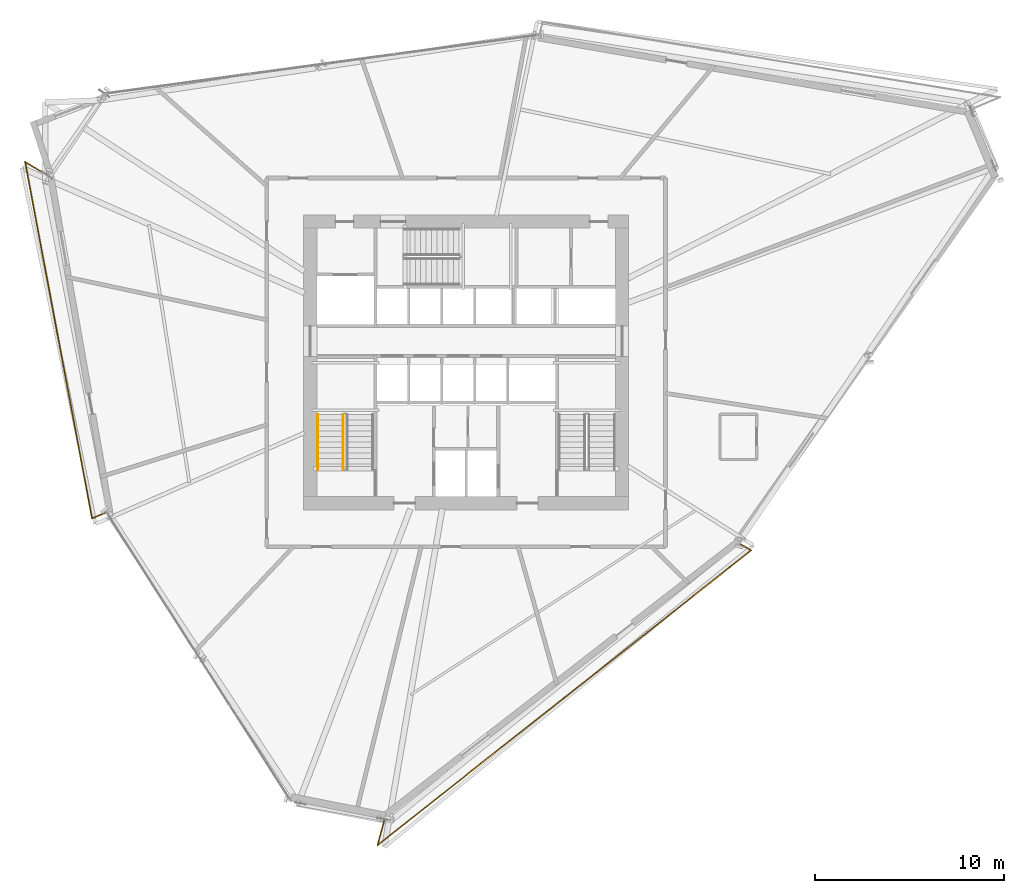
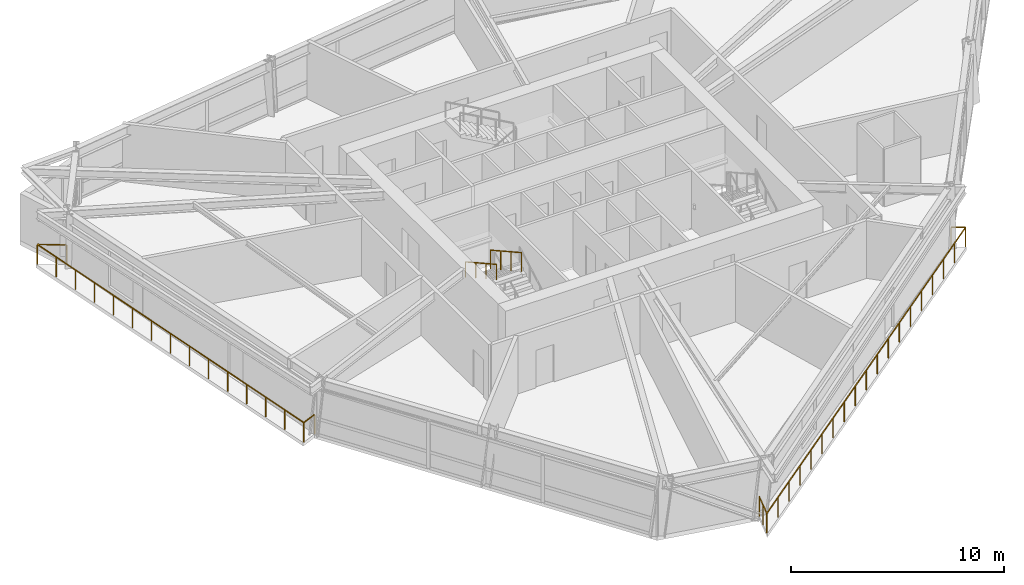
# One storey, part 14 of 16: 4 railings.
"""IFC4 building model written with IfcOpenShell, lengths in metres."""

from ifc_helpers import new_model, si_unit, direction, frame, origin, origin_2d, place, context, subcontext, project, spatial, rectangle, extrude, material, type_object, element, save


model = new_model("IFC4")

# Units and contexts
model_context = context("Model", 3, precision=1e-05, world=origin(), true_north=direction((0.0, 1.0)))
body_context = subcontext(model_context, "Body", "Model", "MODEL_VIEW")
ifc_project = project(units=[si_unit("LENGTHUNIT", "METRE"), si_unit("AREAUNIT", "SQUARE_METRE"), si_unit("VOLUMEUNIT", "CUBIC_METRE"), si_unit("PLANEANGLEUNIT", "RADIAN"), si_unit("MASSUNIT", "GRAM", prefix="KILO")], contexts=[model_context])

# Site, building, storey
site_placement = place(None, origin())
site = spatial("IfcSite", under=ifc_project, at=site_placement, CompositionType="ELEMENT")
building_placement = place(site_placement, origin())
building = spatial("IfcBuilding", under=site, at=building_placement, Name="Olszyna Solenne Hotel", CompositionType="ELEMENT")
storey_placement = place(building_placement, frame((0.0, 0.0, 127.0)))
storey = spatial("IfcBuildingStorey", under=building, at=storey_placement, Name="L33", CompositionType="ELEMENT", Elevation=127.0)

# Railings
ifc_material_1 = material(Name="Anodised bronze aluminium", Category="aluminium")
railing_type_1 = type_object("IfcRailingType", Name="GR-110", PredefinedType="BALUSTRADE", material=ifc_material_1)
railing_1_placement = place(storey_placement, frame((15.856689453125, 36.501953125, 0.0)))
element("IfcRailing", 1, at=railing_1_placement, inside=storey, type_object=railing_type_1, Name="Loggia balcony balustrade guard GR-L33-LG2", PredefinedType="BALUSTRADE", context=body_context, shape_type="SweptSolid", body=[
    extrude(rectangle(XDim=0.048095703125, YDim=0.048095703125, at=origin_2d()), frame((0.0, 0.0, 1.1259765625), z_axis=(-0.857727145789, 0.514105187074, 0.0), x_axis=(-0.514105187074, -0.857727145789, 0.0)), (0.0, 0.0, 1.0), 1.379150390625),
    extrude(rectangle(XDim=0.048095703125, YDim=0.048095703125, at=origin_2d()), frame((-1.182861328125, 0.708984375, 1.1259765625), z_axis=(0.1844129399, -0.982848852875, 0.0), x_axis=(0.982848852875, 0.1844129399, 0.0)), (0.0, 0.0, 1.0), 19.19482421875),
    extrude(rectangle(XDim=0.048095703125, YDim=0.048095703125, at=origin_2d()), frame((2.35693359375, -18.15673828125, 1.1259765625), z_axis=(0.920971234418, 0.389630575514, 0.0), x_axis=(-0.389630575514, 0.920971234418, 0.0)), (0.0, 0.0, 1.0), 0.845947265625),
    extrude(rectangle(XDim=0.0419921875, YDim=0.0419921875, at=origin_2d()), origin(), (0.0, 0.0, 1.0), 1.101806640625),
    extrude(rectangle(XDim=0.0419921875, YDim=0.0419921875, at=origin_2d()), frame((-1.182861328125, 0.708984375, 0.0)), (0.0, 0.0, 1.0), 1.101806640625),
    extrude(rectangle(XDim=0.0419921875, YDim=0.0419921875, at=origin_2d()), frame((-0.929931640625, -0.638671875, 0.0)), (0.0, 0.0, 1.0), 1.101806640625),
    extrude(rectangle(XDim=0.0419921875, YDim=0.0419921875, at=origin_2d()), frame((-0.67724609375, -1.986083984375, 0.0)), (0.0, 0.0, 1.0), 1.101806640625),
    extrude(rectangle(XDim=0.0419921875, YDim=0.0419921875, at=origin_2d()), frame((-0.42431640625, -3.333740234375, 0.0)), (0.0, 0.0, 1.0), 1.101806640625),
    extrude(rectangle(XDim=0.0419921875, YDim=0.0419921875, at=origin_2d()), frame((-0.17138671875, -4.68115234375, 0.0)), (0.0, 0.0, 1.0), 1.101806640625),
    extrude(rectangle(XDim=0.0419921875, YDim=0.0419921875, at=origin_2d()), frame((0.081298828125, -6.02880859375, 0.0)), (0.0, 0.0, 1.0), 1.101806640625),
    extrude(rectangle(XDim=0.0419921875, YDim=0.0419921875, at=origin_2d()), frame((0.334228515625, -7.376220703125, 0.0)), (0.0, 0.0, 1.0), 1.101806640625),
    extrude(rectangle(XDim=0.0419921875, YDim=0.0419921875, at=origin_2d()), frame((0.5869140625, -8.723876953125, 0.0)), (0.0, 0.0, 1.0), 1.101806640625),
    extrude(rectangle(XDim=0.0419921875, YDim=0.0419921875, at=origin_2d()), frame((0.83984375, -10.071533203125, 0.0)), (0.0, 0.0, 1.0), 1.101806640625),
    extrude(rectangle(XDim=0.0419921875, YDim=0.0419921875, at=origin_2d()), frame((1.0927734375, -11.4189453125, 0.0)), (0.0, 0.0, 1.0), 1.101806640625),
    extrude(rectangle(XDim=0.0419921875, YDim=0.0419921875, at=origin_2d()), frame((1.345458984375, -12.7666015625, 0.0)), (0.0, 0.0, 1.0), 1.101806640625),
    extrude(rectangle(XDim=0.0419921875, YDim=0.0419921875, at=origin_2d()), frame((1.598388671875, -14.114013671875, 0.0)), (0.0, 0.0, 1.0), 1.101806640625),
    extrude(rectangle(XDim=0.0419921875, YDim=0.0419921875, at=origin_2d()), frame((1.851318359375, -15.461669921875, 0.0)), (0.0, 0.0, 1.0), 1.101806640625),
    extrude(rectangle(XDim=0.0419921875, YDim=0.0419921875, at=origin_2d()), frame((2.10400390625, -16.80908203125, 0.0)), (0.0, 0.0, 1.0), 1.101806640625),
    extrude(rectangle(XDim=0.0419921875, YDim=0.0419921875, at=origin_2d()), frame((2.35693359375, -18.15673828125, 0.0)), (0.0, 0.0, 1.0), 1.101806640625),
    extrude(rectangle(XDim=0.0419921875, YDim=0.0419921875, at=origin_2d()), frame((3.135986328125, -17.8271484375, 0.0)), (0.0, 0.0, 1.0), 1.101806640625),
])
railing_2_placement = place(storey_placement, frame((33.687255859375, 2.430419921875, 0.0)))
element("IfcRailing", 2, at=railing_2_placement, inside=storey, type_object=railing_type_1, Name="Loggia balcony balustrade guard GR-L33-LG3", PredefinedType="BALUSTRADE", context=body_context, shape_type="SweptSolid", body=[
    extrude(rectangle(XDim=0.048095703125, YDim=0.048095703125, at=origin_2d()), frame((0.0, 0.0, 1.1259765625), z_axis=(-0.264544367899, -0.964373515508, 0.0), x_axis=(0.964373515508, -0.264544367899, 0.0)), (0.0, 0.0, 1.0), 1.41845703125),
    extrude(rectangle(XDim=0.048095703125, YDim=0.048095703125, at=origin_2d()), frame((-0.375244140625, -1.367919921875, 1.1259765625), z_axis=(0.785111825549, 0.619354035575, 0.0), x_axis=(-0.619354035575, 0.785111825549, 0.0)), (0.0, 0.0, 1.0), 25.17578125),
    extrude(rectangle(XDim=0.048095703125, YDim=0.048095703125, at=origin_2d()), frame((19.390625, 14.224853515625, 1.1259765625), z_axis=(-0.857680344451, 0.514183261826, 0.0), x_axis=(-0.514183261826, -0.857680344451, 0.0)), (0.0, 0.0, 1.0), 0.689453125),
    extrude(rectangle(XDim=0.0419921875, YDim=0.0419921875, at=origin_2d()), origin(), (0.0, 0.0, 1.0), 1.101806640625),
    extrude(rectangle(XDim=0.0419921875, YDim=0.0419921875, at=origin_2d()), frame((-0.1875, -0.68408203125, 0.0)), (0.0, 0.0, 1.0), 1.101806640625),
    extrude(rectangle(XDim=0.0419921875, YDim=0.0419921875, at=origin_2d()), frame((-0.375244140625, -1.367919921875, 0.0)), (0.0, 0.0, 1.0), 1.101806640625),
    extrude(rectangle(XDim=0.0419921875, YDim=0.0419921875, at=origin_2d()), frame((0.722900390625, -0.501708984375, 0.0)), (0.0, 0.0, 1.0), 1.101806640625),
    extrude(rectangle(XDim=0.0419921875, YDim=0.0419921875, at=origin_2d()), frame((1.821044921875, 0.364501953125, 0.0)), (0.0, 0.0, 1.0), 1.101806640625),
    extrude(rectangle(XDim=0.0419921875, YDim=0.0419921875, at=origin_2d()), frame((2.9189453125, 1.23095703125, 0.0)), (0.0, 0.0, 1.0), 1.101806640625),
    extrude(rectangle(XDim=0.0419921875, YDim=0.0419921875, at=origin_2d()), frame((4.01708984375, 2.09716796875, 0.0)), (0.0, 0.0, 1.0), 1.101806640625),
    extrude(rectangle(XDim=0.0419921875, YDim=0.0419921875, at=origin_2d()), frame((5.115234375, 2.96337890625, 0.0)), (0.0, 0.0, 1.0), 1.101806640625),
    extrude(rectangle(XDim=0.0419921875, YDim=0.0419921875, at=origin_2d()), frame((6.21337890625, 3.82958984375, 0.0)), (0.0, 0.0, 1.0), 1.101806640625),
    extrude(rectangle(XDim=0.0419921875, YDim=0.0419921875, at=origin_2d()), frame((7.3115234375, 4.696044921875, 0.0)), (0.0, 0.0, 1.0), 1.101806640625),
    extrude(rectangle(XDim=0.0419921875, YDim=0.0419921875, at=origin_2d()), frame((8.40966796875, 5.562255859375, 0.0)), (0.0, 0.0, 1.0), 1.101806640625),
    extrude(rectangle(XDim=0.0419921875, YDim=0.0419921875, at=origin_2d()), frame((9.5078125, 6.428466796875, 0.0)), (0.0, 0.0, 1.0), 1.101806640625),
    extrude(rectangle(XDim=0.0419921875, YDim=0.0419921875, at=origin_2d()), frame((10.605712890625, 7.294677734375, 0.0)), (0.0, 0.0, 1.0), 1.101806640625),
    extrude(rectangle(XDim=0.0419921875, YDim=0.0419921875, at=origin_2d()), frame((11.703857421875, 8.160888671875, 0.0)), (0.0, 0.0, 1.0), 1.101806640625),
    extrude(rectangle(XDim=0.0419921875, YDim=0.0419921875, at=origin_2d()), frame((12.802001953125, 9.02734375, 0.0)), (0.0, 0.0, 1.0), 1.101806640625),
    extrude(rectangle(XDim=0.0419921875, YDim=0.0419921875, at=origin_2d()), frame((13.900146484375, 9.8935546875, 0.0)), (0.0, 0.0, 1.0), 1.101806640625),
    extrude(rectangle(XDim=0.0419921875, YDim=0.0419921875, at=origin_2d()), frame((14.998291015625, 10.759765625, 0.0)), (0.0, 0.0, 1.0), 1.101806640625),
    extrude(rectangle(XDim=0.0419921875, YDim=0.0419921875, at=origin_2d()), frame((16.09619140625, 11.6259765625, 0.0)), (0.0, 0.0, 1.0), 1.101806640625),
    extrude(rectangle(XDim=0.0419921875, YDim=0.0419921875, at=origin_2d()), frame((17.1943359375, 12.492431640625, 0.0)), (0.0, 0.0, 1.0), 1.101806640625),
    extrude(rectangle(XDim=0.0419921875, YDim=0.0419921875, at=origin_2d()), frame((18.29248046875, 13.358642578125, 0.0)), (0.0, 0.0, 1.0), 1.101806640625),
    extrude(rectangle(XDim=0.0419921875, YDim=0.0419921875, at=origin_2d()), frame((19.390625, 14.224853515625, 0.0)), (0.0, 0.0, 1.0), 1.101806640625),
    extrude(rectangle(XDim=0.0419921875, YDim=0.0419921875, at=origin_2d()), frame((18.79931640625, 14.579345703125, 0.0)), (0.0, 0.0, 1.0), 1.101806640625),
])
railing_3_placement = place(storey_placement, frame((31.5, 23.85009765625, 1.936279296875)))
element("IfcRailing", 3, at=railing_3_placement, inside=storey, type_object=railing_type_1, Name="L33 ST1 stair guard 3", PredefinedType="BALUSTRADE", context=body_context, shape_type="SweptSolid", body=[
    extrude(rectangle(XDim=0.048095703125, YDim=0.048095703125, at=origin_2d()), frame((0.0, 0.0, 1.076171875), z_axis=(0.0, -0.873827439584, 0.48623616261), x_axis=(1.0, 0.0, 0.0)), (0.0, 0.0, 1.0), 3.31884765625),
    extrude(rectangle(XDim=0.0419921875, YDim=0.0419921875, at=origin_2d()), origin(), (0.0, 0.0, 1.0), 1.052001953125),
    extrude(rectangle(XDim=0.0419921875, YDim=0.0419921875, at=origin_2d()), frame((0.0, -0.966796875, 0.537841796875)), (0.0, 0.0, 1.0), 1.052001953125),
    extrude(rectangle(XDim=0.0419921875, YDim=0.0419921875, at=origin_2d()), frame((0.0, -1.933349609375, 1.075927734375)), (0.0, 0.0, 1.0), 1.052001953125),
    extrude(rectangle(XDim=0.0419921875, YDim=0.0419921875, at=origin_2d()), frame((0.0, -2.900146484375, 1.61376953125)), (0.0, 0.0, 1.0), 1.052001953125),
])
ifc_material_2 = material(Name="Steel S355J2", Category="steel")
railing_type_2 = type_object("IfcRailingType", Name="HR-090", PredefinedType="HANDRAIL", material=ifc_material_2)
railing_4_placement = place(storey_placement, frame((30.14990234375, 23.85009765625, 1.936279296875)))
element("IfcRailing", 4, at=railing_4_placement, inside=storey, type_object=railing_type_2, Name="L33 ST1 stair handrail 2", PredefinedType="HANDRAIL", context=body_context, shape_type="SweptSolid", body=[
    extrude(rectangle(XDim=0.048095703125, YDim=0.048095703125, at=origin_2d()), frame((0.0, 0.0, 0.8759765625), z_axis=(0.0, -0.873827439584, 0.48623616261), x_axis=(1.0, 0.0, 0.0)), (0.0, 0.0, 1.0), 3.31884765625),
    extrude(rectangle(XDim=0.0419921875, YDim=0.0419921875, at=origin_2d()), origin(), (0.0, 0.0, 1.0), 0.851806640625),
    extrude(rectangle(XDim=0.0419921875, YDim=0.0419921875, at=origin_2d()), frame((0.0, -0.966796875, 0.537841796875)), (0.0, 0.0, 1.0), 0.851806640625),
    extrude(rectangle(XDim=0.0419921875, YDim=0.0419921875, at=origin_2d()), frame((0.0, -1.933349609375, 1.075927734375)), (0.0, 0.0, 1.0), 0.851806640625),
    extrude(rectangle(XDim=0.0419921875, YDim=0.0419921875, at=origin_2d()), frame((0.0, -2.900146484375, 1.61376953125)), (0.0, 0.0, 1.0), 0.851806640625),
])

save(model, "model.ifc")
